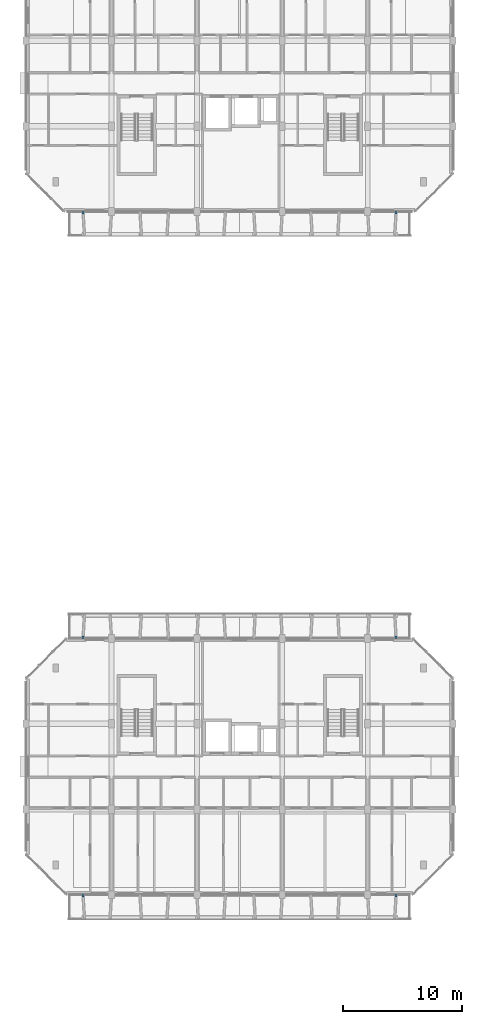
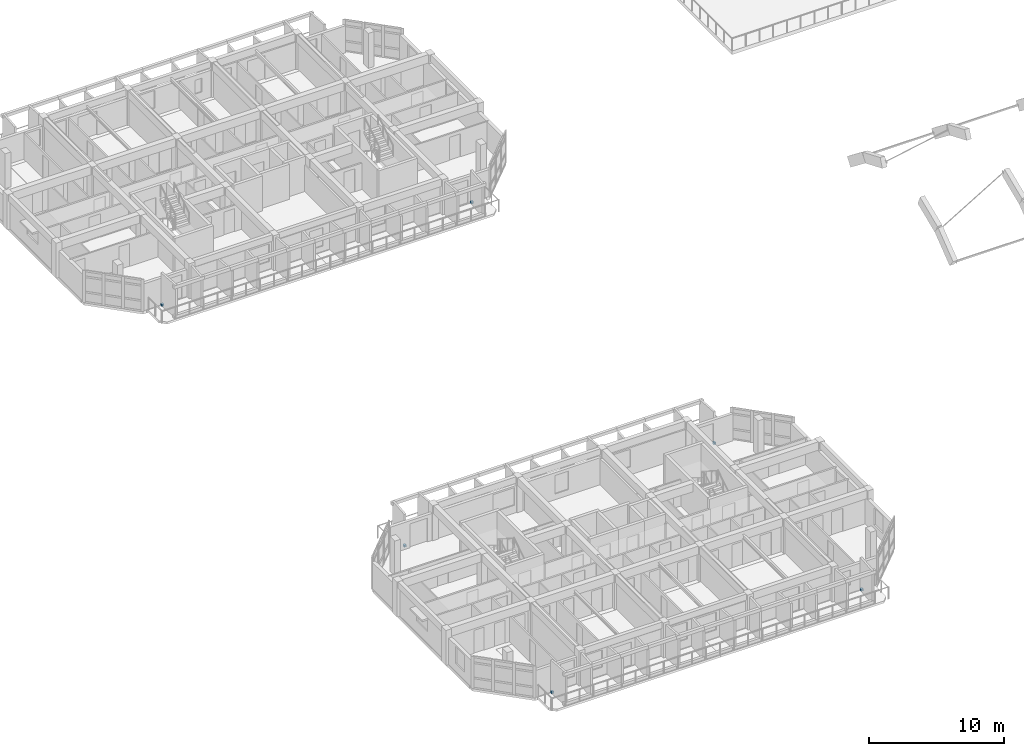
# One storey, part 48 of 64: 6 discrete accessories.
"""IFC4 building model written with IfcOpenShell, lengths in metres."""

from ifc_helpers import new_model, si_unit, direction, frame, origin, origin_2d, place, context, subcontext, project, spatial, rectangle, extrude, material, type_object, element, save


model = new_model("IFC4")

# Units and contexts
model_context = context("Model", 3, precision=1e-05, world=origin(), true_north=direction((0.0, 1.0)))
body_context = subcontext(model_context, "Body", "Model", "MODEL_VIEW")
ifc_project = project(units=[si_unit("LENGTHUNIT", "METRE"), si_unit("AREAUNIT", "SQUARE_METRE"), si_unit("VOLUMEUNIT", "CUBIC_METRE"), si_unit("PLANEANGLEUNIT", "RADIAN"), si_unit("MASSUNIT", "GRAM", prefix="KILO")], contexts=[model_context])

# Site, building, storey
site_placement = place(None, origin())
site = spatial("IfcSite", under=ifc_project, at=site_placement, CompositionType="ELEMENT")
building_placement = place(site_placement, origin())
building = spatial("IfcBuilding", under=site, at=building_placement, Name="Ochrevale Crest", CompositionType="ELEMENT")
storey_placement = place(building_placement, frame((0.0, 0.0, 8.699951171875)))
storey = spatial("IfcBuildingStorey", under=building, at=storey_placement, Name="L02", CompositionType="ELEMENT", Elevation=8.699951171875)

# Discrete accessories
ifc_material = material(Name="Galvanised steel", Category="steel")
discrete_accessory_type = type_object("IfcDiscreteAccessoryType", Name="ACC-BRK-HC", PredefinedType="BRACKET", material=ifc_material)
for number, where, z_axis, x_axis, name in (
    (1, (4.800048828125, 14.300048828125, 0.0), (0.0, 0.0, 1.0), (1.0, 0.0, 0.0), "Block A L02 precast loggia corbel bracket"),
    (2, (31.199951171875, 14.300048828125, 0.0), (0.0, 0.0, 1.0), (1.0, 0.0, 0.0), "Block A L02 precast loggia corbel bracket"),
    (3, (4.800048828125, 36.10009765625, 0.0), (0.0, 0.0, 1.0), (1.0, 0.0, 0.0), "Block A L02 precast loggia corbel bracket"),
    (4, (31.199951171875, 36.10009765625, 0.0), (0.0, 0.0, 1.0), (1.0, 0.0, 0.0), "Block A L02 precast loggia corbel bracket"),
    (5, (4.800048828125, 71.89990234375, 0.0), (0.0, 0.0, 1.0), (1.0, 0.0, 0.0), "Block B L02 precast loggia corbel bracket"),
    (6, (31.199951171875, 71.89990234375, 0.0), (0.0, 0.0, 1.0), (1.0, 0.0, 0.0), "Block B L02 precast loggia corbel bracket"),
):
    element("IfcDiscreteAccessory", number, at=place(storey_placement, frame(where, z_axis=z_axis, x_axis=x_axis)), inside=storey, type_object=discrete_accessory_type, Name=name, PredefinedType="BRACKET", context=body_context, shape_type="SweptSolid", body=[
        extrude(rectangle(XDim=0.179931640625, YDim=0.219970703125, at=origin_2d()), origin(), (0.0, 0.0, 1.0), 0.179931640625),
    ])

save(model, "model.ifc")
